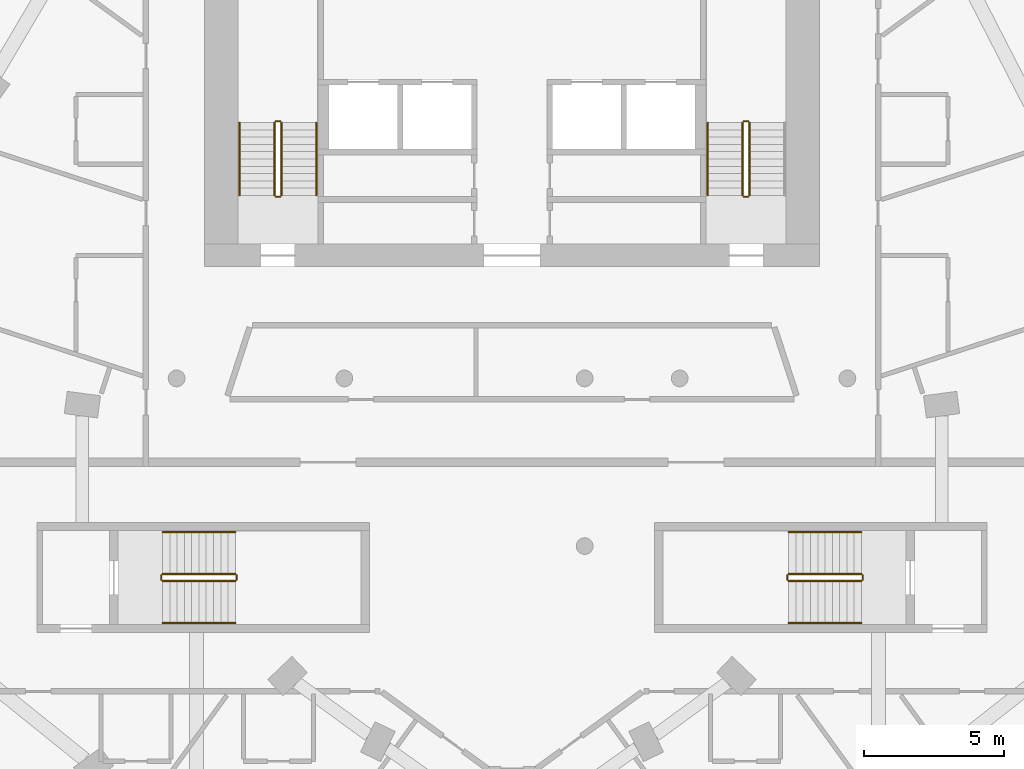
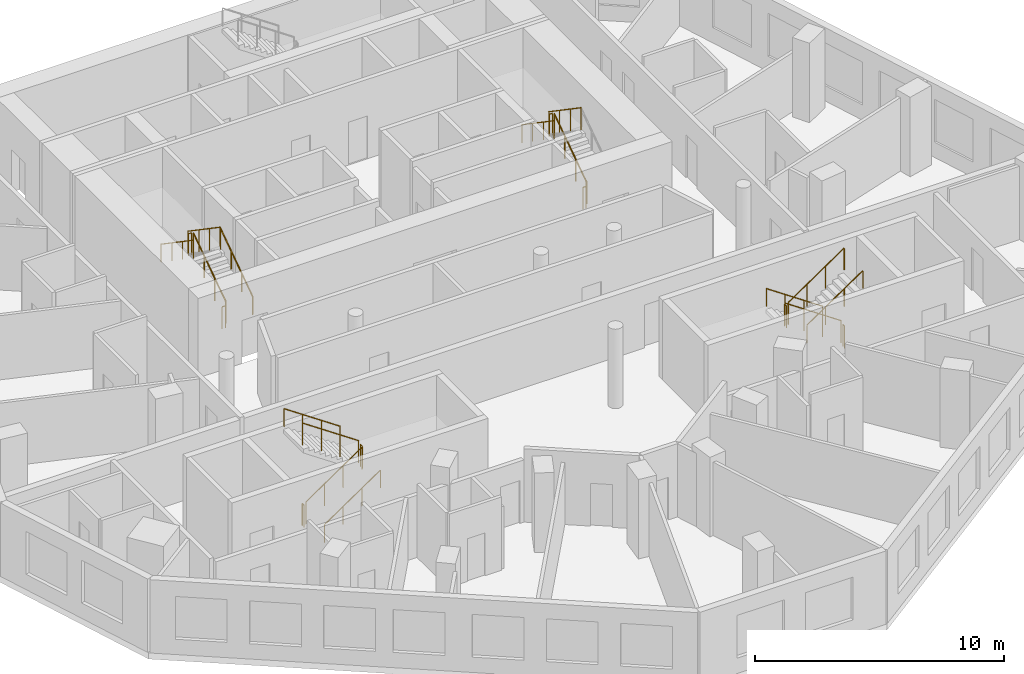
# One storey, part 8 of 9: 23 railings.
"""IFC4 building model written with IfcOpenShell, lengths in metres."""

from ifc_helpers import new_model, si_unit, direction, frame, origin, origin_2d, place, context, subcontext, project, spatial, circle, extrude, material, type_object, element, save


model = new_model("IFC4")

# Units and contexts
model_context = context("Model", 3, precision=1e-05, world=origin(), true_north=direction((0.0, 1.0)))
body_context = subcontext(model_context, "Body", "Model", "MODEL_VIEW")
ifc_project = project(units=[si_unit("LENGTHUNIT", "METRE"), si_unit("AREAUNIT", "SQUARE_METRE"), si_unit("VOLUMEUNIT", "CUBIC_METRE"), si_unit("PLANEANGLEUNIT", "RADIAN"), si_unit("MASSUNIT", "GRAM", prefix="KILO")], contexts=[model_context])

# Site, building, storey
site_placement = place(None, origin())
site = spatial("IfcSite", under=ifc_project, at=site_placement, CompositionType="ELEMENT")
building_placement = place(site_placement, origin())
building = spatial("IfcBuilding", under=site, at=building_placement, Name="White Candle Pilgrim Tower", CompositionType="ELEMENT")
storey_placement = place(building_placement, frame((0.0, 0.0, 212.10009765625)))
storey = spatial("IfcBuildingStorey", under=building, at=storey_placement, Name="L49", CompositionType="ELEMENT", Elevation=212.10009765625)

# Railings
ifc_material = material(Name="Stainless steel", Category="steel")
railing_type_1 = type_object("IfcRailingType", Name="Stair guard stainless steel 1100 mm", PredefinedType="GUARDRAIL", material=ifc_material)
railing_1_placement = place(storey_placement, frame((61.75, 73.550048828125, 0.17724609375)))
element("IfcRailing", 1, at=railing_1_placement, inside=storey, type_object=railing_type_1, Name="L49 ST1 stair guard 1", PredefinedType="GUARDRAIL", context=body_context, shape_type="SweptSolid", body=[
    extrude(circle(Radius=0.02392578125, at=origin_2d()), frame((0.0, 0.0, 1.076171875), z_axis=(0.0, 0.826215852431, 0.563353676824), x_axis=(-1.0, 0.0, 0.0)), (0.0, 0.0, 1.0), 3.146728515625),
    extrude(circle(Radius=0.02099609375, at=origin_2d()), origin(), (0.0, 0.0, 1.0), 1.052001953125),
    extrude(circle(Radius=0.02099609375, at=origin_2d()), frame((0.0, 0.86669921875, 0.5908203125)), (0.0, 0.0, 1.0), 1.052001953125),
    extrude(circle(Radius=0.02099609375, at=origin_2d()), frame((0.0, 1.733154296875, 1.181884765625)), (0.0, 0.0, 1.0), 1.052001953125),
    extrude(circle(Radius=0.02099609375, at=origin_2d()), frame((0.0, 2.599853515625, 1.772705078125)), (0.0, 0.0, 1.0), 1.052001953125),
])
railing_2_placement = place(storey_placement, frame((61.699951171875, 76.199951171875, 1.949951171875)))
element("IfcRailing", 2, at=railing_2_placement, inside=storey, type_object=railing_type_1, Name="L49 ST1 stair guard 2", PredefinedType="GUARDRAIL", context=body_context, shape_type="SweptSolid", body=[
    extrude(circle(Radius=0.02392578125, at=origin_2d()), frame((0.0, 0.0, 1.076171875), z_axis=(-1.0, 0.0, 0.0), x_axis=(0.0, -1.0, 0.0)), (0.0, 0.0, 1.0), 0.14990234375),
    extrude(circle(Radius=0.02099609375, at=origin_2d()), origin(), (0.0, 0.0, 1.0), 1.052001953125),
    extrude(circle(Radius=0.02099609375, at=origin_2d()), frame((-0.14990234375, 0.0, 0.0)), (0.0, 0.0, 1.0), 1.052001953125),
])
railing_3_placement = place(storey_placement, frame((61.5, 76.14990234375, 2.127197265625)))
element("IfcRailing", 3, at=railing_3_placement, inside=storey, type_object=railing_type_1, Name="L49 ST1 stair guard 3", PredefinedType="GUARDRAIL", context=body_context, shape_type="SweptSolid", body=[
    extrude(circle(Radius=0.02392578125, at=origin_2d()), frame((0.0, 0.0, 1.076171875), z_axis=(0.0, -0.826215852431, 0.563353676824), x_axis=(1.0, 0.0, 0.0)), (0.0, 0.0, 1.0), 3.146728515625),
    extrude(circle(Radius=0.02099609375, at=origin_2d()), origin(), (0.0, 0.0, 1.0), 1.052001953125),
    extrude(circle(Radius=0.02099609375, at=origin_2d()), frame((0.0, -0.86669921875, 0.5908203125)), (0.0, 0.0, 1.0), 1.052001953125),
    extrude(circle(Radius=0.02099609375, at=origin_2d()), frame((0.0, -1.733154296875, 1.181884765625)), (0.0, 0.0, 1.0), 1.052001953125),
    extrude(circle(Radius=0.02099609375, at=origin_2d()), frame((0.0, -2.599853515625, 1.772705078125)), (0.0, 0.0, 1.0), 1.052001953125),
])
railing_4_placement = place(storey_placement, frame((61.699951171875, 73.5, 0.0)))
element("IfcRailing", 4, at=railing_4_placement, inside=storey, type_object=railing_type_1, Name="L49 ST1 stair guard 4", PredefinedType="GUARDRAIL", context=body_context, shape_type="SweptSolid", body=[
    extrude(circle(Radius=0.02392578125, at=origin_2d()), frame((0.0, 0.0, 1.076171875), z_axis=(-1.0, 0.0, 0.0), x_axis=(0.0, -1.0, 0.0)), (0.0, 0.0, 1.0), 0.14990234375),
    extrude(circle(Radius=0.02099609375, at=origin_2d()), origin(), (0.0, 0.0, 1.0), 1.052001953125),
    extrude(circle(Radius=0.02099609375, at=origin_2d()), frame((-0.14990234375, 0.0, 0.0)), (0.0, 0.0, 1.0), 1.052001953125),
])
railing_5_placement = place(storey_placement, frame((78.5, 73.550048828125, 0.17724609375)))
element("IfcRailing", 5, at=railing_5_placement, inside=storey, type_object=railing_type_1, Name="L49 ST2 stair guard 1", PredefinedType="GUARDRAIL", context=body_context, shape_type="SweptSolid", body=[
    extrude(circle(Radius=0.02392578125, at=origin_2d()), frame((0.0, 0.0, 1.076171875), z_axis=(0.0, 0.826215852431, 0.563353676824), x_axis=(-1.0, 0.0, 0.0)), (0.0, 0.0, 1.0), 3.146728515625),
    extrude(circle(Radius=0.02099609375, at=origin_2d()), origin(), (0.0, 0.0, 1.0), 1.052001953125),
    extrude(circle(Radius=0.02099609375, at=origin_2d()), frame((0.0, 0.86669921875, 0.5908203125)), (0.0, 0.0, 1.0), 1.052001953125),
    extrude(circle(Radius=0.02099609375, at=origin_2d()), frame((0.0, 1.733154296875, 1.181884765625)), (0.0, 0.0, 1.0), 1.052001953125),
    extrude(circle(Radius=0.02099609375, at=origin_2d()), frame((0.0, 2.599853515625, 1.772705078125)), (0.0, 0.0, 1.0), 1.052001953125),
])
railing_6_placement = place(storey_placement, frame((78.449951171875, 76.199951171875, 1.949951171875)))
element("IfcRailing", 6, at=railing_6_placement, inside=storey, type_object=railing_type_1, Name="L49 ST2 stair guard 2", PredefinedType="GUARDRAIL", context=body_context, shape_type="SweptSolid", body=[
    extrude(circle(Radius=0.02392578125, at=origin_2d()), frame((0.0, 0.0, 1.076171875), z_axis=(-1.0, 0.0, 0.0), x_axis=(0.0, -1.0, 0.0)), (0.0, 0.0, 1.0), 0.14990234375),
    extrude(circle(Radius=0.02099609375, at=origin_2d()), origin(), (0.0, 0.0, 1.0), 1.052001953125),
    extrude(circle(Radius=0.02099609375, at=origin_2d()), frame((-0.14990234375, 0.0, 0.0)), (0.0, 0.0, 1.0), 1.052001953125),
])
railing_7_placement = place(storey_placement, frame((78.25, 76.14990234375, 2.127197265625)))
element("IfcRailing", 7, at=railing_7_placement, inside=storey, type_object=railing_type_1, Name="L49 ST2 stair guard 3", PredefinedType="GUARDRAIL", context=body_context, shape_type="SweptSolid", body=[
    extrude(circle(Radius=0.02392578125, at=origin_2d()), frame((0.0, 0.0, 1.076171875), z_axis=(0.0, -0.826215852431, 0.563353676824), x_axis=(1.0, 0.0, 0.0)), (0.0, 0.0, 1.0), 3.146728515625),
    extrude(circle(Radius=0.02099609375, at=origin_2d()), origin(), (0.0, 0.0, 1.0), 1.052001953125),
    extrude(circle(Radius=0.02099609375, at=origin_2d()), frame((0.0, -0.86669921875, 0.5908203125)), (0.0, 0.0, 1.0), 1.052001953125),
    extrude(circle(Radius=0.02099609375, at=origin_2d()), frame((0.0, -1.733154296875, 1.181884765625)), (0.0, 0.0, 1.0), 1.052001953125),
    extrude(circle(Radius=0.02099609375, at=origin_2d()), frame((0.0, -2.599853515625, 1.772705078125)), (0.0, 0.0, 1.0), 1.052001953125),
])
railing_8_placement = place(storey_placement, frame((78.449951171875, 73.5, 0.0)))
element("IfcRailing", 8, at=railing_8_placement, inside=storey, type_object=railing_type_1, Name="L49 ST2 stair guard 4", PredefinedType="GUARDRAIL", context=body_context, shape_type="SweptSolid", body=[
    extrude(circle(Radius=0.02392578125, at=origin_2d()), frame((0.0, 0.0, 1.076171875), z_axis=(-1.0, 0.0, 0.0), x_axis=(0.0, -1.0, 0.0)), (0.0, 0.0, 1.0), 0.14990234375),
    extrude(circle(Radius=0.02099609375, at=origin_2d()), origin(), (0.0, 0.0, 1.0), 1.052001953125),
    extrude(circle(Radius=0.02099609375, at=origin_2d()), frame((-0.14990234375, 0.0, 0.0)), (0.0, 0.0, 1.0), 1.052001953125),
])
railing_9_placement = place(storey_placement, frame((82.5, 60.0, 0.17724609375)))
element("IfcRailing", 9, at=railing_9_placement, inside=storey, type_object=railing_type_1, Name="L49 ST4 stair guard 1", PredefinedType="GUARDRAIL", context=body_context, shape_type="SweptSolid", body=[
    extrude(circle(Radius=0.02392578125, at=origin_2d()), frame((0.0, 0.0, 1.076171875), z_axis=(-0.826240473404, 0.0, 0.563317565952), x_axis=(0.0, -1.0, 0.0)), (0.0, 0.0, 1.0), 3.14697265625),
    extrude(circle(Radius=0.02099609375, at=origin_2d()), origin(), (0.0, 0.0, 1.0), 1.052001953125),
    extrude(circle(Radius=0.02099609375, at=origin_2d()), frame((-0.86669921875, 0.0, 0.5908203125)), (0.0, 0.0, 1.0), 1.052001953125),
    extrude(circle(Radius=0.02099609375, at=origin_2d()), frame((-1.7333984375, 0.0, 1.181884765625)), (0.0, 0.0, 1.0), 1.052001953125),
    extrude(circle(Radius=0.02099609375, at=origin_2d()), frame((-2.60009765625, 0.0, 1.772705078125)), (0.0, 0.0, 1.0), 1.052001953125),
])
railing_10_placement = place(storey_placement, frame((79.85009765625, 59.949951171875, 1.949951171875)))
element("IfcRailing", 10, at=railing_10_placement, inside=storey, type_object=railing_type_1, Name="L49 ST4 stair guard 2", PredefinedType="GUARDRAIL", context=body_context, shape_type="SweptSolid", body=[
    extrude(circle(Radius=0.02392578125, at=origin_2d()), frame((0.0, 0.0, 1.076171875), z_axis=(0.0, -1.0, 0.0), x_axis=(1.0, 0.0, 0.0)), (0.0, 0.0, 1.0), 0.14990234375),
    extrude(circle(Radius=0.02099609375, at=origin_2d()), origin(), (0.0, 0.0, 1.0), 1.052001953125),
    extrude(circle(Radius=0.02099609375, at=origin_2d()), frame((0.0, -0.14990234375, 0.0)), (0.0, 0.0, 1.0), 1.052001953125),
])
railing_11_placement = place(storey_placement, frame((79.89990234375, 59.75, 2.127197265625)))
element("IfcRailing", 11, at=railing_11_placement, inside=storey, type_object=railing_type_1, Name="L49 ST4 stair guard 3", PredefinedType="GUARDRAIL", context=body_context, shape_type="SweptSolid", body=[
    extrude(circle(Radius=0.02392578125, at=origin_2d()), frame((0.0, 0.0, 1.076171875), z_axis=(0.826240473404, 0.0, 0.563317565952), x_axis=(0.0, 1.0, 0.0)), (0.0, 0.0, 1.0), 3.14697265625),
    extrude(circle(Radius=0.02099609375, at=origin_2d()), origin(), (0.0, 0.0, 1.0), 1.052001953125),
    extrude(circle(Radius=0.02099609375, at=origin_2d()), frame((0.86669921875, 0.0, 0.5908203125)), (0.0, 0.0, 1.0), 1.052001953125),
    extrude(circle(Radius=0.02099609375, at=origin_2d()), frame((1.7333984375, 0.0, 1.181884765625)), (0.0, 0.0, 1.0), 1.052001953125),
    extrude(circle(Radius=0.02099609375, at=origin_2d()), frame((2.60009765625, 0.0, 1.772705078125)), (0.0, 0.0, 1.0), 1.052001953125),
])
railing_12_placement = place(storey_placement, frame((82.550048828125, 59.949951171875, 0.0)))
element("IfcRailing", 12, at=railing_12_placement, inside=storey, type_object=railing_type_1, Name="L49 ST4 stair guard 4", PredefinedType="GUARDRAIL", context=body_context, shape_type="SweptSolid", body=[
    extrude(circle(Radius=0.02392578125, at=origin_2d()), frame((0.0, 0.0, 1.076171875), z_axis=(0.0, -1.0, 0.0), x_axis=(1.0, 0.0, 0.0)), (0.0, 0.0, 1.0), 0.14990234375),
    extrude(circle(Radius=0.02099609375, at=origin_2d()), origin(), (0.0, 0.0, 1.0), 1.052001953125),
    extrude(circle(Radius=0.02099609375, at=origin_2d()), frame((0.0, -0.14990234375, 0.0)), (0.0, 0.0, 1.0), 1.052001953125),
])
railing_13_placement = place(storey_placement, frame((57.5, 59.75, 0.17724609375)))
element("IfcRailing", 13, at=railing_13_placement, inside=storey, type_object=railing_type_1, Name="L49 ST5 stair guard 1", PredefinedType="GUARDRAIL", context=body_context, shape_type="SweptSolid", body=[
    extrude(circle(Radius=0.02392578125, at=origin_2d()), frame((0.0, 0.0, 1.076171875), z_axis=(0.826240473404, 0.0, 0.563317565952), x_axis=(0.0, 1.0, 0.0)), (0.0, 0.0, 1.0), 3.14697265625),
    extrude(circle(Radius=0.02099609375, at=origin_2d()), origin(), (0.0, 0.0, 1.0), 1.052001953125),
    extrude(circle(Radius=0.02099609375, at=origin_2d()), frame((0.86669921875, 0.0, 0.5908203125)), (0.0, 0.0, 1.0), 1.052001953125),
    extrude(circle(Radius=0.02099609375, at=origin_2d()), frame((1.7333984375, 0.0, 1.181884765625)), (0.0, 0.0, 1.0), 1.052001953125),
    extrude(circle(Radius=0.02099609375, at=origin_2d()), frame((2.60009765625, 0.0, 1.772705078125)), (0.0, 0.0, 1.0), 1.052001953125),
])
railing_14_placement = place(storey_placement, frame((60.14990234375, 59.800048828125, 1.949951171875)))
element("IfcRailing", 14, at=railing_14_placement, inside=storey, type_object=railing_type_1, Name="L49 ST5 stair guard 2", PredefinedType="GUARDRAIL", context=body_context, shape_type="SweptSolid", body=[
    extrude(circle(Radius=0.02392578125, at=origin_2d()), frame((0.0, 0.0, 1.076171875), z_axis=(0.0, 1.0, 0.0), x_axis=(-1.0, 0.0, 0.0)), (0.0, 0.0, 1.0), 0.14990234375),
    extrude(circle(Radius=0.02099609375, at=origin_2d()), origin(), (0.0, 0.0, 1.0), 1.052001953125),
    extrude(circle(Radius=0.02099609375, at=origin_2d()), frame((0.0, 0.14990234375, 0.0)), (0.0, 0.0, 1.0), 1.052001953125),
])
railing_15_placement = place(storey_placement, frame((60.10009765625, 60.0, 2.127197265625)))
element("IfcRailing", 15, at=railing_15_placement, inside=storey, type_object=railing_type_1, Name="L49 ST5 stair guard 3", PredefinedType="GUARDRAIL", context=body_context, shape_type="SweptSolid", body=[
    extrude(circle(Radius=0.02392578125, at=origin_2d()), frame((0.0, 0.0, 1.076171875), z_axis=(-0.826240473404, 0.0, 0.563317565952), x_axis=(0.0, -1.0, 0.0)), (0.0, 0.0, 1.0), 3.14697265625),
    extrude(circle(Radius=0.02099609375, at=origin_2d()), origin(), (0.0, 0.0, 1.0), 1.052001953125),
    extrude(circle(Radius=0.02099609375, at=origin_2d()), frame((-0.86669921875, 0.0, 0.5908203125)), (0.0, 0.0, 1.0), 1.052001953125),
    extrude(circle(Radius=0.02099609375, at=origin_2d()), frame((-1.7333984375, 0.0, 1.181884765625)), (0.0, 0.0, 1.0), 1.052001953125),
    extrude(circle(Radius=0.02099609375, at=origin_2d()), frame((-2.60009765625, 0.0, 1.772705078125)), (0.0, 0.0, 1.0), 1.052001953125),
])
railing_16_placement = place(storey_placement, frame((57.449951171875, 59.800048828125, 0.0)))
element("IfcRailing", 16, at=railing_16_placement, inside=storey, type_object=railing_type_1, Name="L49 ST5 stair guard 4", PredefinedType="GUARDRAIL", context=body_context, shape_type="SweptSolid", body=[
    extrude(circle(Radius=0.02392578125, at=origin_2d()), frame((0.0, 0.0, 1.076171875), z_axis=(0.0, 1.0, 0.0), x_axis=(-1.0, 0.0, 0.0)), (0.0, 0.0, 1.0), 0.14990234375),
    extrude(circle(Radius=0.02099609375, at=origin_2d()), origin(), (0.0, 0.0, 1.0), 1.052001953125),
    extrude(circle(Radius=0.02099609375, at=origin_2d()), frame((0.0, 0.14990234375, 0.0)), (0.0, 0.0, 1.0), 1.052001953125),
])
railing_type_2 = type_object("IfcRailingType", Name="Stair handrail stainless steel", PredefinedType="HANDRAIL", material=ifc_material)
railing_17_placement = place(storey_placement, frame((63.0, 73.550048828125, 0.17724609375)))
element("IfcRailing", 17, at=railing_17_placement, inside=storey, type_object=railing_type_2, Name="L49 ST1 stair handrail 1", PredefinedType="HANDRAIL", context=body_context, shape_type="SweptSolid", body=[
    extrude(circle(Radius=0.02392578125, at=origin_2d()), frame((0.0, 0.0, 0.8759765625), z_axis=(0.0, 0.826215852431, 0.563353676824), x_axis=(-1.0, 0.0, 0.0)), (0.0, 0.0, 1.0), 3.146728515625),
    extrude(circle(Radius=0.02099609375, at=origin_2d()), origin(), (0.0, 0.0, 1.0), 0.851806640625),
    extrude(circle(Radius=0.02099609375, at=origin_2d()), frame((0.0, 0.86669921875, 0.5908203125)), (0.0, 0.0, 1.0), 0.851806640625),
    extrude(circle(Radius=0.02099609375, at=origin_2d()), frame((0.0, 1.733154296875, 1.181884765625)), (0.0, 0.0, 1.0), 0.851806640625),
    extrude(circle(Radius=0.02099609375, at=origin_2d()), frame((0.0, 2.599853515625, 1.772705078125)), (0.0, 0.0, 1.0), 0.851806640625),
])
for number, where, name in (
    (18, (60.25, 76.14990234375, 2.127197265625), "L49 ST1 stair handrail 2"),
    (19, (77.0, 76.14990234375, 2.127197265625), "L49 ST2 stair handrail 2"),
):
    element("IfcRailing", number, at=place(storey_placement, frame(where)), inside=storey, type_object=railing_type_2, Name=name, PredefinedType="HANDRAIL", context=body_context, shape_type="SweptSolid", body=[
        extrude(circle(Radius=0.02392578125, at=origin_2d()), frame((0.0, 0.0, 0.8759765625), z_axis=(0.0, -0.826215852431, 0.563353676824), x_axis=(1.0, 0.0, 0.0)), (0.0, 0.0, 1.0), 3.146728515625),
        extrude(circle(Radius=0.02099609375, at=origin_2d()), origin(), (0.0, 0.0, 1.0), 0.851806640625),
        extrude(circle(Radius=0.02099609375, at=origin_2d()), frame((0.0, -0.86669921875, 0.5908203125)), (0.0, 0.0, 1.0), 0.851806640625),
        extrude(circle(Radius=0.02099609375, at=origin_2d()), frame((0.0, -1.733154296875, 1.181884765625)), (0.0, 0.0, 1.0), 0.851806640625),
        extrude(circle(Radius=0.02099609375, at=origin_2d()), frame((0.0, -2.599853515625, 1.772705078125)), (0.0, 0.0, 1.0), 0.851806640625),
    ])
railing_18_placement = place(storey_placement, frame((82.5, 61.5, 0.17724609375)))
element("IfcRailing", 20, at=railing_18_placement, inside=storey, type_object=railing_type_2, Name="L49 ST4 stair handrail 1", PredefinedType="HANDRAIL", context=body_context, shape_type="SweptSolid", body=[
    extrude(circle(Radius=0.02392578125, at=origin_2d()), frame((0.0, 0.0, 0.8759765625), z_axis=(-0.826240473404, 0.0, 0.563317565952), x_axis=(0.0, -1.0, 0.0)), (0.0, 0.0, 1.0), 3.14697265625),
    extrude(circle(Radius=0.02099609375, at=origin_2d()), origin(), (0.0, 0.0, 1.0), 0.851806640625),
    extrude(circle(Radius=0.02099609375, at=origin_2d()), frame((-0.86669921875, 0.0, 0.5908203125)), (0.0, 0.0, 1.0), 0.851806640625),
    extrude(circle(Radius=0.02099609375, at=origin_2d()), frame((-1.7333984375, 0.0, 1.181884765625)), (0.0, 0.0, 1.0), 0.851806640625),
    extrude(circle(Radius=0.02099609375, at=origin_2d()), frame((-2.60009765625, 0.0, 1.772705078125)), (0.0, 0.0, 1.0), 0.851806640625),
])
for number, where, name in (
    (21, (79.89990234375, 58.25, 2.127197265625), "L49 ST4 stair handrail 2"),
    (22, (57.5, 58.25, 0.17724609375), "L49 ST5 stair handrail 1"),
):
    element("IfcRailing", number, at=place(storey_placement, frame(where)), inside=storey, type_object=railing_type_2, Name=name, PredefinedType="HANDRAIL", context=body_context, shape_type="SweptSolid", body=[
        extrude(circle(Radius=0.02392578125, at=origin_2d()), frame((0.0, 0.0, 0.8759765625), z_axis=(0.826240473404, 0.0, 0.563317565952), x_axis=(0.0, 1.0, 0.0)), (0.0, 0.0, 1.0), 3.14697265625),
        extrude(circle(Radius=0.02099609375, at=origin_2d()), origin(), (0.0, 0.0, 1.0), 0.851806640625),
        extrude(circle(Radius=0.02099609375, at=origin_2d()), frame((0.86669921875, 0.0, 0.5908203125)), (0.0, 0.0, 1.0), 0.851806640625),
        extrude(circle(Radius=0.02099609375, at=origin_2d()), frame((1.7333984375, 0.0, 1.181884765625)), (0.0, 0.0, 1.0), 0.851806640625),
        extrude(circle(Radius=0.02099609375, at=origin_2d()), frame((2.60009765625, 0.0, 1.772705078125)), (0.0, 0.0, 1.0), 0.851806640625),
    ])
railing_19_placement = place(storey_placement, frame((60.10009765625, 61.5, 2.127197265625)))
element("IfcRailing", 23, at=railing_19_placement, inside=storey, type_object=railing_type_2, Name="L49 ST5 stair handrail 2", PredefinedType="HANDRAIL", context=body_context, shape_type="SweptSolid", body=[
    extrude(circle(Radius=0.02392578125, at=origin_2d()), frame((0.0, 0.0, 0.8759765625), z_axis=(-0.826240473404, 0.0, 0.563317565952), x_axis=(0.0, -1.0, 0.0)), (0.0, 0.0, 1.0), 3.14697265625),
    extrude(circle(Radius=0.02099609375, at=origin_2d()), origin(), (0.0, 0.0, 1.0), 0.851806640625),
    extrude(circle(Radius=0.02099609375, at=origin_2d()), frame((-0.86669921875, 0.0, 0.5908203125)), (0.0, 0.0, 1.0), 0.851806640625),
    extrude(circle(Radius=0.02099609375, at=origin_2d()), frame((-1.7333984375, 0.0, 1.181884765625)), (0.0, 0.0, 1.0), 0.851806640625),
    extrude(circle(Radius=0.02099609375, at=origin_2d()), frame((-2.60009765625, 0.0, 1.772705078125)), (0.0, 0.0, 1.0), 0.851806640625),
])

save(model, "model.ifc")
